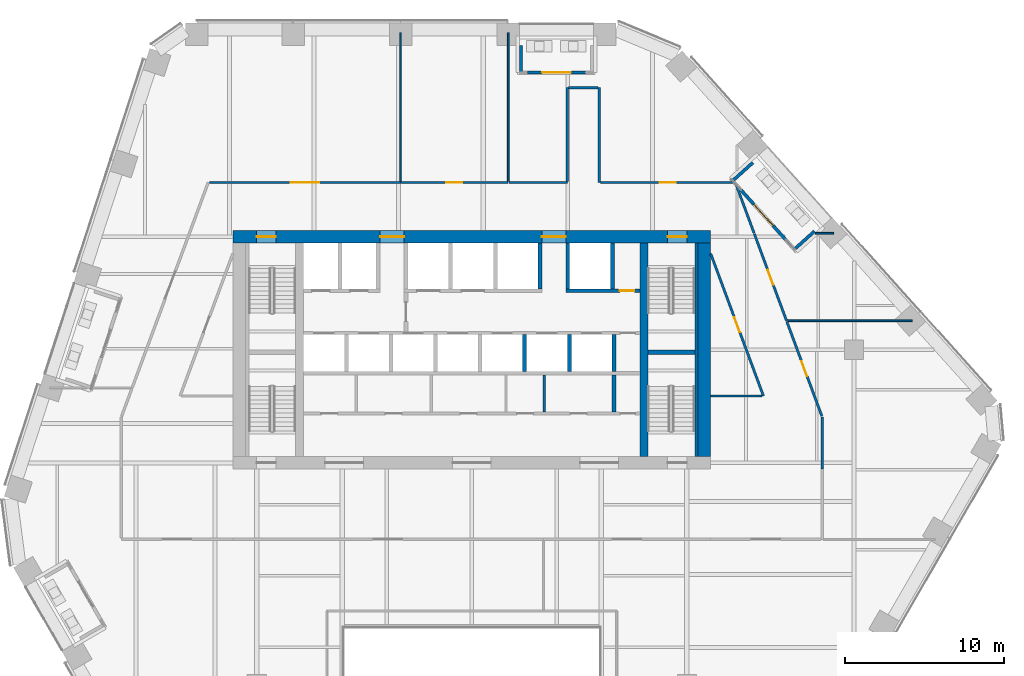
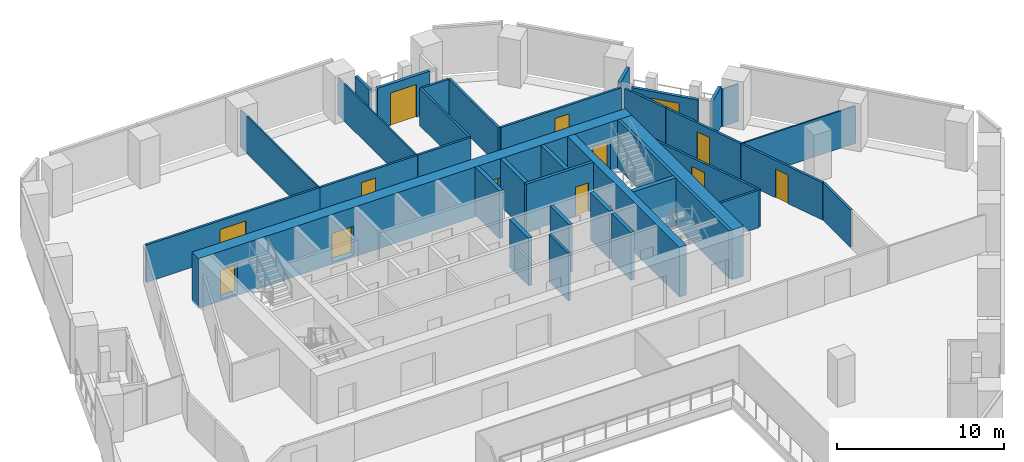
# One storey, part 19 of 24: 36 walls, 13 doors, 13 openings.
"""IFC4 building model written with IfcOpenShell, lengths in metres."""

from ifc_helpers import new_model, si_unit, direction, frame, frame_2d, origin, place, context, subcontext, project, spatial, rectangle, extrude, material, layer, layer_set, type_object, element, fill, save


model = new_model("IFC4")

# Units and contexts
model_context = context("Model", 3, precision=1e-05, world=origin(), true_north=direction((0.0, 1.0)))
body_context = subcontext(model_context, "Body", "Model", "MODEL_VIEW")
ifc_project = project(units=[si_unit("LENGTHUNIT", "METRE"), si_unit("AREAUNIT", "SQUARE_METRE"), si_unit("VOLUMEUNIT", "CUBIC_METRE"), si_unit("PLANEANGLEUNIT", "RADIAN"), si_unit("MASSUNIT", "GRAM", prefix="KILO")], contexts=[model_context])

# Site, building, storey
site_placement = place(None, origin())
site = spatial("IfcSite", under=ifc_project, at=site_placement, CompositionType="ELEMENT")
building_placement = place(site_placement, origin())
building = spatial("IfcBuilding", under=site, at=building_placement, Name="Isthmus Gate Tower", CompositionType="ELEMENT")
storey_placement = place(building_placement, frame((0.0, 0.0, 159.0)))
storey = spatial("IfcBuildingStorey", under=building, at=storey_placement, Name="L39", CompositionType="ELEMENT", Elevation=159.0)

# Wall
ifc_material_1 = material(Name="Gypsum board on steel studs, fire-rated", Category="steel")
ifc_layer_1 = layer(ifc_material_1, 0.14990234375)
ifc_layer_set_1 = layer_set([ifc_layer_1], Name="CORRIDOR WALL 150 60 MIN")
wall_type_1 = type_object("IfcWallType", Name="CORRIDOR WALL 150 60 MIN", PredefinedType="PARTITIONING", material=ifc_layer_set_1)
wall_1_placement = place(storey_placement, frame((8.0, 23.949951171875, 0.0), z_axis=(0.0, 0.0, 1.0), x_axis=(0.0, -1.0, 0.0)))
element("IfcWall", 1, at=wall_1_placement, inside=storey, type_object=wall_type_1, Name="L39 Corridor Wall 150 60 Min", PredefinedType="PARTITIONING", context=body_context, shape_type="SweptSolid", body=[
    extrude(rectangle(XDim=5.949951171875, YDim=0.14990234375, at=frame_2d((2.97509765625, 0.0))), origin(), (0.0, 0.0, 1.0), 2.7412109375),
])

# Wall, opening, door
wall_2_placement = place(storey_placement, frame((18.30810546875, 4.60009765625, 0.0), z_axis=(0.0, 0.0, 1.0), x_axis=(-0.347347751601, 0.937736391241, 0.0)))
wall_2 = element("IfcWall", 2, at=wall_2_placement, inside=storey, type_object=wall_type_1, Name="L39 Corridor Wall 150 60 Min", PredefinedType="PARTITIONING", context=body_context, shape_type="SweptSolid", body=[
    extrude(rectangle(XDim=9.52392578125, YDim=0.14990234375, at=frame_2d((4.761962890625, 0.0))), origin(), (0.0, 0.0, 1.0), 2.7412109375),
])
opening_1_placement = place(wall_2_placement, frame((4.261962890625, 0.0, 0.0)))
opening_1 = element("IfcOpeningElement", 3, at=opening_1_placement, cuts=wall_2, Name="Opening DT-T3D-07", PredefinedType="OPENING", context=body_context, shape_type="SweptSolid", body=[
    extrude(rectangle(XDim=1.0, YDim=2.10009765625, at=frame_2d((0.5, 1.050048828125))), frame((0.0, 0.0849609375, 0.0), z_axis=(0.0, -1.0, 0.0), x_axis=(1.0, 0.0, 0.0)), (0.0, 0.0, 1.0), 0.169921875),
])
ifc_material_2 = material(Name="Solid core timber door leaf, fire-rated", Category="wood")
door_type_1 = type_object("IfcDoorType", Name="FIRE DOOR ROOM 1000 X 2100 60 MIN", OperationType="SINGLE_SWING_LEFT", PredefinedType="DOOR", material=ifc_material_2)
door_1_placement = place(opening_1_placement, origin())
door_1 = element("IfcDoor", 4, at=door_1_placement, inside=storey, type_object=door_type_1, Name="L39 room door", OperationType="SINGLE_SWING_RIGHT", OverallHeight=2.10009765625, OverallWidth=1.0, PredefinedType="DOOR", context=body_context, shape_type="SweptSolid", body=[
    extrude(rectangle(XDim=1.0, YDim=2.10009765625, at=frame_2d((0.5, 1.050048828125))), frame((0.0, 0.02490234375, 0.0), z_axis=(0.0, -1.0, 0.0), x_axis=(1.0, 0.0, 0.0)), (0.0, 0.0, 1.0), 0.050048828125),
])
fill(opening_1, door_1)

# Wall
wall_3_placement = place(storey_placement, frame((22.0, 3.26904296875, 0.0), z_axis=(0.0, 0.0, 1.0), x_axis=(0.0, -1.0, 0.0)))
element("IfcWall", 5, at=wall_3_placement, inside=storey, type_object=wall_type_1, Name="L39 Corridor Wall 150 60 Min", PredefinedType="PARTITIONING", context=body_context, shape_type="SweptSolid", body=[
    extrude(rectangle(XDim=3.26904296875, YDim=0.14990234375, at=frame_2d((1.634521484375, 0.0))), origin(), (0.0, 0.0, 1.0), 2.7412109375),
])

# Wall, opening, door
wall_4_placement = place(storey_placement, frame((-4.4619140625, 18.0, 0.0), z_axis=(0.0, 0.0, 1.0), x_axis=(1.0, 0.0, 0.0)))
wall_4 = element("IfcWall", 6, at=wall_4_placement, inside=storey, type_object=wall_type_1, Name="L39 Corridor Wall 150 60 Min", PredefinedType="PARTITIONING", context=body_context, shape_type="SweptSolid", body=[
    extrude(rectangle(XDim=6.75, YDim=0.14990234375, at=frame_2d((3.375, 0.0))), origin(), (0.0, 0.0, 1.0), 2.7412109375),
])
opening_2_placement = place(wall_4_placement, frame((2.875, 0.0, 0.0)))
opening_2 = element("IfcOpeningElement", 7, at=opening_2_placement, cuts=wall_4, Name="Opening DT-T3D-01", PredefinedType="OPENING", context=body_context, shape_type="SweptSolid", body=[
    extrude(rectangle(XDim=1.0, YDim=2.10009765625, at=frame_2d((0.5, 1.050048828125))), frame((0.0, 0.0849609375, 0.0), z_axis=(0.0, -1.0, 0.0), x_axis=(1.0, 0.0, 0.0)), (0.0, 0.0, 1.0), 0.169921875),
])
door_2_placement = place(opening_2_placement, origin())
door_2 = element("IfcDoor", 8, at=door_2_placement, inside=storey, type_object=door_type_1, Name="L39 room door", OperationType="SINGLE_SWING_RIGHT", OverallHeight=2.10009765625, OverallWidth=1.0, PredefinedType="DOOR", context=body_context, shape_type="SweptSolid", body=[
    extrude(rectangle(XDim=1.0, YDim=2.10009765625, at=frame_2d((0.5, 1.050048828125))), frame((0.0, 0.02490234375, 0.0), z_axis=(0.0, -1.0, 0.0), x_axis=(1.0, 0.0, 0.0)), (0.0, 0.0, 1.0), 0.050048828125),
])
fill(opening_2, door_2)

# Walls
wall_5_placement = place(storey_placement, frame((2.337890625, 18.0, 0.0), z_axis=(0.0, 0.0, 1.0), x_axis=(1.0, 0.0, 0.0)))
element("IfcWall", 9, at=wall_5_placement, inside=storey, type_object=wall_type_1, Name="L39 Corridor Wall 150 60 Min", PredefinedType="PARTITIONING", context=body_context, shape_type="SweptSolid", body=[
    extrude(rectangle(XDim=3.662109375, YDim=0.14990234375, at=frame_2d((1.8310546875, 0.0))), origin(), (0.0, 0.0, 1.0), 2.7412109375),
])
wall_6_placement = place(storey_placement, frame((6.0, 18.074951171875, 0.0), z_axis=(0.0, 0.0, 1.0), x_axis=(0.0, 1.0, 0.0)))
element("IfcWall", 10, at=wall_6_placement, inside=storey, type_object=wall_type_1, Name="L39 Corridor Wall 150 60 Min", PredefinedType="PARTITIONING", context=body_context, shape_type="SweptSolid", body=[
    extrude(rectangle(XDim=5.875, YDim=0.14990234375, at=frame_2d((2.9375, 0.0))), origin(), (0.0, 0.0, 1.0), 2.7412109375),
])
wall_7_placement = place(storey_placement, frame((6.074951171875, 23.949951171875, 0.0), z_axis=(0.0, 0.0, 1.0), x_axis=(1.0, 0.0, 0.0)))
element("IfcWall", 11, at=wall_7_placement, inside=storey, type_object=wall_type_1, Name="L39 Corridor Wall 150 60 Min", PredefinedType="PARTITIONING", context=body_context, shape_type="SweptSolid", body=[
    extrude(rectangle(XDim=1.85009765625, YDim=0.14990234375, at=frame_2d((0.925048828125, 0.0))), origin(), (0.0, 0.0, 1.0), 2.7412109375),
])

# Wall, opening, door
wall_8_placement = place(storey_placement, frame((8.074951171875, 18.0, 0.0), z_axis=(0.0, 0.0, 1.0), x_axis=(1.0, 0.0, 0.0)))
wall_8 = element("IfcWall", 12, at=wall_8_placement, inside=storey, type_object=wall_type_1, Name="L39 Corridor Wall 150 60 Min", PredefinedType="PARTITIONING", context=body_context, shape_type="SweptSolid", body=[
    extrude(rectangle(XDim=8.34912109375, YDim=0.14990234375, at=frame_2d((4.174560546875, 0.0))), origin(), (0.0, 0.0, 1.0), 2.7412109375),
])
opening_3_placement = place(wall_8_placement, frame((3.734619140625, 0.0, 0.0)))
opening_3 = element("IfcOpeningElement", 13, at=opening_3_placement, cuts=wall_8, Name="Opening DT-T3D-02", PredefinedType="OPENING", context=body_context, shape_type="SweptSolid", body=[
    extrude(rectangle(XDim=1.0, YDim=2.10009765625, at=frame_2d((0.5, 1.050048828125))), frame((0.0, 0.0849609375, 0.0), z_axis=(0.0, -1.0, 0.0), x_axis=(1.0, 0.0, 0.0)), (0.0, 0.0, 1.0), 0.169921875),
])
door_3_placement = place(opening_3_placement, origin())
door_3 = element("IfcDoor", 14, at=door_3_placement, inside=storey, type_object=door_type_1, Name="L39 room door", OperationType="SINGLE_SWING_RIGHT", OverallHeight=2.10009765625, OverallWidth=1.0, PredefinedType="DOOR", context=body_context, shape_type="SweptSolid", body=[
    extrude(rectangle(XDim=1.0, YDim=2.10009765625, at=frame_2d((0.5, 1.050048828125))), frame((0.0, 0.02490234375, 0.0), z_axis=(0.0, -1.0, 0.0), x_axis=(1.0, 0.0, 0.0)), (0.0, 0.0, 1.0), 0.050048828125),
])
fill(opening_3, door_3)

# Wall
wall_9_placement = place(storey_placement, frame((16.6171875, 17.80224609375, 0.0), z_axis=(0.0, 0.0, 1.0), x_axis=(0.347221966082, -0.937782973971, 0.0)))
element("IfcWall", 15, at=wall_9_placement, inside=storey, type_object=wall_type_1, Name="L39 Corridor Wall 150 60 Min", PredefinedType="PARTITIONING", context=body_context, shape_type="SweptSolid", body=[
    extrude(rectangle(XDim=3.1845703125, YDim=0.14990234375, at=frame_2d((1.59228515625, 0.0))), origin(), (0.0, 0.0, 1.0), 2.7412109375),
])

# Wall, opening, door
wall_10_placement = place(storey_placement, frame((-16.468994140625, 18.0, 0.0), z_axis=(0.0, 0.0, 1.0), x_axis=(1.0, 0.0, 0.0)))
wall_10 = element("IfcWall", 16, at=wall_10_placement, inside=storey, type_object=wall_type_1, Name="L39 Corridor Wall 150 60 Min", PredefinedType="PARTITIONING", context=body_context, shape_type="SweptSolid", body=[
    extrude(rectangle(XDim=12.007080078125, YDim=0.14990234375, at=frame_2d((6.00341796875, 0.0))), origin(), (0.0, 0.0, 1.0), 2.7412109375),
])
opening_4_placement = place(wall_10_placement, frame((5.103515625, 0.0, 0.0)))
opening_4 = element("IfcOpeningElement", 17, at=opening_4_placement, cuts=wall_10, Name="Opening DT-T3D-04", PredefinedType="OPENING", context=body_context, shape_type="SweptSolid", body=[
    extrude(rectangle(XDim=1.800048828125, YDim=2.10009765625, at=frame_2d((0.89990234375, 1.050048828125))), frame((0.0, 0.0849609375, 0.0), z_axis=(0.0, -1.0, 0.0), x_axis=(1.0, 0.0, 0.0)), (0.0, 0.0, 1.0), 0.169921875),
])
ifc_material_3 = material(Name="Solid core timber door leaf, fire-rated", Category="wood")
door_type_2 = type_object("IfcDoorType", Name="FIRE DOOR ROOM 1800 X 2100 60 MIN", OperationType="DOUBLE_DOOR_DOUBLE_SWING", PredefinedType="DOOR", material=ifc_material_3)
door_4_placement = place(opening_4_placement, origin())
door_4 = element("IfcDoor", 18, at=door_4_placement, inside=storey, type_object=door_type_2, Name="L39 room door", OperationType="DOUBLE_DOOR_DOUBLE_SWING", OverallHeight=2.10009765625, OverallWidth=1.800048828125, PredefinedType="DOOR", context=body_context, shape_type="SweptSolid", body=[
    extrude(rectangle(XDim=1.800048828125, YDim=2.10009765625, at=frame_2d((0.89990234375, 1.050048828125))), frame((0.0, 0.02490234375, 0.0), z_axis=(0.0, -1.0, 0.0), x_axis=(1.0, 0.0, 0.0)), (0.0, 0.0, 1.0), 0.050048828125),
])
fill(opening_4, door_4)

wall_11_placement = place(storey_placement, frame((17.740478515625, 14.76904296875, 0.0), z_axis=(0.0, 0.0, 1.0), x_axis=(0.347393763434, -0.937719346674, 0.0)))
wall_11 = element("IfcWall", 19, at=wall_11_placement, inside=storey, type_object=wall_type_1, Name="L39 Corridor Wall 150 60 Min", PredefinedType="PARTITIONING", context=body_context, shape_type="SweptSolid", body=[
    extrude(rectangle(XDim=5.807861328125, YDim=0.14990234375, at=frame_2d((2.90380859375, 0.0))), origin(), (0.0, 0.0, 1.0), 2.7412109375),
])
opening_5_placement = place(wall_11_placement, frame((2.40380859375, 0.0, 0.0)))
opening_5 = element("IfcOpeningElement", 20, at=opening_5_placement, cuts=wall_11, Name="Opening DT-T3D-05", PredefinedType="OPENING", context=body_context, shape_type="SweptSolid", body=[
    extrude(rectangle(XDim=1.0, YDim=2.10009765625, at=frame_2d((0.5, 1.050048828125))), frame((0.0, 0.0849609375, 0.0), z_axis=(0.0, -1.0, 0.0), x_axis=(1.0, 0.0, 0.0)), (0.0, 0.0, 1.0), 0.169921875),
])
door_5_placement = place(opening_5_placement, origin())
door_5 = element("IfcDoor", 21, at=door_5_placement, inside=storey, type_object=door_type_1, Name="L39 room door", OperationType="SINGLE_SWING_RIGHT", OverallHeight=2.10009765625, OverallWidth=1.0, PredefinedType="DOOR", context=body_context, shape_type="SweptSolid", body=[
    extrude(rectangle(XDim=1.0, YDim=2.10009765625, at=frame_2d((0.5, 1.050048828125))), frame((0.0, 0.02490234375, 0.0), z_axis=(0.0, -1.0, 0.0), x_axis=(1.0, 0.0, 0.0)), (0.0, 0.0, 1.0), 0.050048828125),
])
fill(opening_5, door_5)

# Wall
wall_12_placement = place(storey_placement, frame((15.0, 4.60009765625, 0.0), z_axis=(0.0, 0.0, 1.0), x_axis=(1.0, 0.0, 0.0)))
element("IfcWall", 22, at=wall_12_placement, inside=storey, type_object=wall_type_1, Name="L39 Corridor Wall 150 60 Min", PredefinedType="PARTITIONING", context=body_context, shape_type="SweptSolid", body=[
    extrude(rectangle(XDim=3.22802734375, YDim=0.14990234375, at=frame_2d((1.614013671875, 0.0))), origin(), (0.0, 0.0, 1.0), 2.7412109375),
])

# Wall, opening, door
wall_13_placement = place(storey_placement, frame((19.775390625, 9.276123046875, 0.0), z_axis=(0.0, 0.0, 1.0), x_axis=(0.347304307854, -0.937752482133, 0.0)))
wall_13 = element("IfcWall", 23, at=wall_13_placement, inside=storey, type_object=wall_type_1, Name="L39 Corridor Wall 150 60 Min", PredefinedType="PARTITIONING", context=body_context, shape_type="SweptSolid", body=[
    extrude(rectangle(XDim=6.330810546875, YDim=0.14990234375, at=frame_2d((3.16552734375, 0.0))), origin(), (0.0, 0.0, 1.0), 2.7412109375),
])
opening_6_placement = place(wall_13_placement, frame((2.665283203125, 0.0, 0.0)))
opening_6 = element("IfcOpeningElement", 24, at=opening_6_placement, cuts=wall_13, Name="Opening DT-T3D-08", PredefinedType="OPENING", context=body_context, shape_type="SweptSolid", body=[
    extrude(rectangle(XDim=1.0, YDim=2.10009765625, at=frame_2d((0.5, 1.050048828125))), frame((0.0, 0.0849609375, 0.0), z_axis=(0.0, -1.0, 0.0), x_axis=(1.0, 0.0, 0.0)), (0.0, 0.0, 1.0), 0.169921875),
])
door_6_placement = place(opening_6_placement, origin())
door_6 = element("IfcDoor", 25, at=door_6_placement, inside=storey, type_object=door_type_1, Name="L39 room door", OperationType="SINGLE_SWING_RIGHT", OverallHeight=2.10009765625, OverallWidth=1.0, PredefinedType="DOOR", context=body_context, shape_type="SweptSolid", body=[
    extrude(rectangle(XDim=1.0, YDim=2.10009765625, at=frame_2d((0.5, 1.050048828125))), frame((0.0, 0.02490234375, 0.0), z_axis=(0.0, -1.0, 0.0), x_axis=(1.0, 0.0, 0.0)), (0.0, 0.0, 1.0), 0.050048828125),
])
fill(opening_6, door_6)

ifc_material_4 = material(Name="Precast concrete C40/50", Category="concrete")
ifc_layer_2 = layer(ifc_material_4, 0.199951171875)
ifc_layer_set_2 = layer_set([ifc_layer_2], Name="LOGGIA WALL 200")
wall_type_2 = type_object("IfcWallType", Name="LOGGIA WALL 200", PredefinedType="SOLIDWALL", material=ifc_layer_set_2)
wall_14_placement = place(storey_placement, frame((7.138671875, 24.89990234375, 0.0), z_axis=(0.0, 0.0, 1.0), x_axis=(-1.0, 0.0, 0.0)))
wall_14 = element("IfcWall", 26, at=wall_14_placement, inside=storey, type_object=wall_type_2, Name="LOGGIA BACK WALL", PredefinedType="SOLIDWALL", context=body_context, shape_type="SweptSolid", body=[
    extrude(rectangle(XDim=3.650146484375, YDim=0.199951171875, at=frame_2d((1.8251953125, 0.0))), origin(), (0.0, 0.0, 1.0), 3.050048828125),
])
opening_7_placement = place(wall_14_placement, frame((0.925048828125, 0.0, 0.0)))
opening_7 = element("IfcOpeningElement", 27, at=opening_7_placement, cuts=wall_14, Name="Opening DE39-01", PredefinedType="OPENING", context=body_context, shape_type="SweptSolid", body=[
    extrude(rectangle(XDim=1.800048828125, YDim=2.39990234375, at=frame_2d((0.89990234375, 1.199951171875))), frame((0.0, 0.10986328125, 0.0), z_axis=(0.0, -1.0, 0.0), x_axis=(1.0, 0.0, 0.0)), (0.0, 0.0, 1.0), 0.219970703125),
])
ifc_material_5 = material(Name="Aluminium, pale champagne anodised, laminated glass", Category="aluminium")
door_type_3 = type_object("IfcDoorType", Name="LOGGIA DOOR SLIDING 1800 X 2400", OperationType="DOUBLE_DOOR_SLIDING", PredefinedType="DOOR", material=ifc_material_5)
door_7_placement = place(opening_7_placement, origin())
door_7 = element("IfcDoor", 28, at=door_7_placement, inside=storey, type_object=door_type_3, Name="DOOR DE39-01", OperationType="SINGLE_SWING_LEFT", OverallHeight=2.39990234375, OverallWidth=1.800048828125, PredefinedType="DOOR", context=body_context, shape_type="SweptSolid", body=[
    extrude(rectangle(XDim=1.800048828125, YDim=2.39990234375, at=frame_2d((0.89990234375, 1.199951171875))), frame((0.0, 0.02490234375, 0.0), z_axis=(0.0, -1.0, 0.0), x_axis=(1.0, 0.0, 0.0)), (0.0, 0.0, 1.0), 0.050048828125),
])
fill(opening_7, door_7)

# Wall
wall_15_placement = place(storey_placement, frame((3.08837890625, 26.60009765625, 0.0), z_axis=(0.0, 0.0, 1.0), x_axis=(0.0, -1.0, 0.0)))
element("IfcWall", 29, at=wall_15_placement, inside=storey, type_object=wall_type_2, Name="LOGGIA SIDE WALL", PredefinedType="SOLIDWALL", context=body_context, shape_type="SweptSolid", body=[
    extrude(rectangle(XDim=1.68408203125, YDim=0.199951171875, at=frame_2d((0.842041015625, 0.0))), origin(), (0.0, 0.0, 1.0), 3.050048828125),
])

# Wall, opening, door
wall_16_placement = place(storey_placement, frame((19.721435546875, 14.395263671875, 0.0), z_axis=(0.0, 0.0, 1.0), x_axis=(-0.669170241733, 0.743109135712, 0.0)))
wall_16 = element("IfcWall", 30, at=wall_16_placement, inside=storey, type_object=wall_type_2, Name="LOGGIA BACK WALL", PredefinedType="SOLIDWALL", context=body_context, shape_type="SweptSolid", body=[
    extrude(rectangle(XDim=4.199951171875, YDim=0.199951171875, at=frame_2d((2.10009765625, 0.0))), origin(), (0.0, 0.0, 1.0), 2.896728515625),
])
opening_8_placement = place(wall_16_placement, frame((1.199951171875, 0.0, 0.0)))
opening_8 = element("IfcOpeningElement", 31, at=opening_8_placement, cuts=wall_16, Name="Opening DE39-05", PredefinedType="OPENING", context=body_context, shape_type="SweptSolid", body=[
    extrude(rectangle(XDim=1.800048828125, YDim=2.39990234375, at=frame_2d((0.89990234375, 1.199951171875))), frame((0.0, 0.10986328125, 0.0), z_axis=(0.0, -1.0, 0.0), x_axis=(1.0, 0.0, 0.0)), (0.0, 0.0, 1.0), 0.219970703125),
])
door_8_placement = place(opening_8_placement, origin())
door_8 = element("IfcDoor", 32, at=door_8_placement, inside=storey, type_object=door_type_3, Name="DOOR DE39-05", OperationType="SINGLE_SWING_LEFT", OverallHeight=2.39990234375, OverallWidth=1.800048828125, PredefinedType="DOOR", context=body_context, shape_type="SweptSolid", body=[
    extrude(rectangle(XDim=1.800048828125, YDim=2.39990234375, at=frame_2d((0.89990234375, 1.199951171875))), frame((0.0, 0.02490234375, 0.0), z_axis=(0.0, -1.0, 0.0), x_axis=(1.0, 0.0, 0.0)), (0.0, 0.0, 1.0), 0.050048828125),
])
fill(opening_8, door_8)

# Walls
wall_17_placement = place(storey_placement, frame((21.516845703125, 14.941650390625, 0.0), z_axis=(0.0, 0.0, 1.0), x_axis=(-0.743178790238, -0.669092882745, 0.0)))
element("IfcWall", 33, at=wall_17_placement, inside=storey, type_object=wall_type_2, Name="LOGGIA SIDE WALL", PredefinedType="SOLIDWALL", context=body_context, shape_type="SweptSolid", body=[
    extrude(rectangle(XDim=1.683837890625, YDim=0.199951171875, at=frame_2d((0.841796875, 0.0))), origin(), (0.0, 0.0, 1.0), 2.896728515625),
])
wall_18_placement = place(storey_placement, frame((17.64208984375, 19.2451171875, 0.0), z_axis=(0.0, 0.0, 1.0), x_axis=(-0.743106699699, -0.6691729469, 0.0)))
element("IfcWall", 34, at=wall_18_placement, inside=storey, type_object=wall_type_2, Name="LOGGIA SIDE WALL", PredefinedType="SOLIDWALL", context=body_context, shape_type="SweptSolid", body=[
    extrude(rectangle(XDim=1.68408203125, YDim=0.199951171875, at=frame_2d((0.842041015625, 0.0))), origin(), (0.0, 0.0, 1.0), 3.050048828125),
])
ifc_material_6 = material(Name="Concrete f'c 60 MPa", Category="concrete")
ifc_layer_3 = layer(ifc_material_6, 0.5)
ifc_layer_set_3 = layer_set([ifc_layer_3], Name="RC CORE SPINE WALL 500 F'C 60")
wall_type_3 = type_object("IfcWallType", Name="RC CORE SPINE WALL 500 F'C 60", PredefinedType="SOLIDWALL", material=ifc_layer_set_3)
wall_19_placement = place(storey_placement, frame((10.800048828125, 0.800048828125, -0.14990234375), z_axis=(0.0, 0.0, 1.0), x_axis=(0.0, 1.0, 0.0)))
element("IfcWall", 35, at=wall_19_placement, inside=storey, type_object=wall_type_3, Name="str-corewall-L39-SPE", PredefinedType="SOLIDWALL", context=body_context, shape_type="SweptSolid", body=[
    extrude(rectangle(XDim=13.39990234375, YDim=0.5, at=frame_2d((6.699951171875, 0.0))), origin(), (0.0, 0.0, 1.0), 3.64990234375),
])

# Wall, openings, doors
ifc_material_7 = material(Name="Concrete f'c 60 MPa", Category="concrete")
ifc_layer_4 = layer(ifc_material_7, 0.800048828125)
ifc_layer_set_4 = layer_set([ifc_layer_4], Name="RC CORE WALL 800 F'C 60")
wall_type_4 = type_object("IfcWallType", Name="RC CORE WALL 800 F'C 60", PredefinedType="SOLIDWALL", material=ifc_layer_set_4)
wall_20_placement = place(storey_placement, frame((-15.0, 14.60009765625, -0.14990234375), z_axis=(0.0, 0.0, 1.0), x_axis=(1.0, 0.0, 0.0)))
wall_20 = element("IfcWall", 36, at=wall_20_placement, inside=storey, type_object=wall_type_4, Name="str-corewall-L39-N", PredefinedType="SOLIDWALL", context=body_context, shape_type="SweptSolid", body=[
    extrude(rectangle(XDim=30.0, YDim=0.800048828125, at=frame_2d((15.0, 0.0))), origin(), (0.0, 0.0, 1.0), 3.64990234375),
])
opening_9_placement = place(wall_20_placement, frame((9.25, 0.0, 0.14990234375)))
opening_9 = element("IfcOpeningElement", 37, at=opening_9_placement, cuts=wall_20, Name="Opening DC-A10-13", PredefinedType="OPENING", context=body_context, shape_type="SweptSolid", body=[
    extrude(rectangle(XDim=1.5, YDim=2.10009765625, at=frame_2d((0.75, 1.050048828125))), frame((0.0, 0.409912109375, 0.0), z_axis=(0.0, -1.0, 0.0), x_axis=(1.0, 0.0, 0.0)), (0.0, 0.0, 1.0), 0.820068359375),
])
opening_10_placement = place(wall_20_placement, frame((19.39990234375, 0.0, 0.14990234375)))
opening_10 = element("IfcOpeningElement", 38, at=opening_10_placement, cuts=wall_20, Name="Opening DC-A10-14", PredefinedType="OPENING", context=body_context, shape_type="SweptSolid", body=[
    extrude(rectangle(XDim=1.5, YDim=2.10009765625, at=frame_2d((0.75, 1.050048828125))), frame((0.0, 0.409912109375, 0.0), z_axis=(0.0, -1.0, 0.0), x_axis=(1.0, 0.0, 0.0)), (0.0, 0.0, 1.0), 0.820068359375),
])
opening_11_placement = place(wall_20_placement, frame((1.5, 0.0, 0.14990234375)))
opening_11 = element("IfcOpeningElement", 39, at=opening_11_placement, cuts=wall_20, Name="Opening DC-A10-15", PredefinedType="OPENING", context=body_context, shape_type="SweptSolid", body=[
    extrude(rectangle(XDim=1.199951171875, YDim=2.10009765625, at=frame_2d((0.60009765625, 1.050048828125))), frame((0.0, 0.409912109375, 0.0), z_axis=(0.0, -1.0, 0.0), x_axis=(1.0, 0.0, 0.0)), (0.0, 0.0, 1.0), 0.820068359375),
])
opening_12_placement = place(wall_20_placement, frame((27.300048828125, 0.0, 0.14990234375)))
opening_12 = element("IfcOpeningElement", 40, at=opening_12_placement, cuts=wall_20, Name="Opening DC-A10-16", PredefinedType="OPENING", context=body_context, shape_type="SweptSolid", body=[
    extrude(rectangle(XDim=1.199951171875, YDim=2.10009765625, at=frame_2d((0.60009765625, 1.050048828125))), frame((0.0, 0.409912109375, 0.0), z_axis=(0.0, -1.0, 0.0), x_axis=(1.0, 0.0, 0.0)), (0.0, 0.0, 1.0), 0.820068359375),
])
ifc_material_8 = material(Name="Steel door leaf, fire-rated", Category="steel")
door_type_4 = type_object("IfcDoorType", Name="LOBBY FIRE DOOR 1500 X 2100 60 MIN", OperationType="DOUBLE_DOOR_SINGLE_SWING", PredefinedType="DOOR", material=ifc_material_8)
door_9_placement = place(opening_10_placement, origin())
door_9 = element("IfcDoor", 41, at=door_9_placement, inside=storey, type_object=door_type_4, Name="Lobby Door PN-E", OperationType="DOUBLE_DOOR_SINGLE_SWING", OverallHeight=2.10009765625, OverallWidth=1.5, PredefinedType="DOOR", context=body_context, shape_type="SweptSolid", body=[
    extrude(rectangle(XDim=1.5, YDim=2.10009765625, at=frame_2d((0.75, 1.050048828125))), frame((0.0, 0.02490234375, 0.0), z_axis=(0.0, -1.0, 0.0), x_axis=(1.0, 0.0, 0.0)), (0.0, 0.0, 1.0), 0.050048828125),
])
fill(opening_10, door_9)
ifc_material_9 = material(Name="Steel door leaf, fire-rated", Category="steel")
door_type_5 = type_object("IfcDoorType", Name="LOBBY FIRE DOOR 1500 X 2100 90 MIN", OperationType="DOUBLE_DOOR_SINGLE_SWING", PredefinedType="DOOR", material=ifc_material_9)
door_10_placement = place(opening_9_placement, origin())
door_10 = element("IfcDoor", 42, at=door_10_placement, inside=storey, type_object=door_type_5, Name="Lobby Door PN-W", OperationType="DOUBLE_DOOR_SINGLE_SWING", OverallHeight=2.10009765625, OverallWidth=1.5, PredefinedType="DOOR", context=body_context, shape_type="SweptSolid", body=[
    extrude(rectangle(XDim=1.5, YDim=2.10009765625, at=frame_2d((0.75, 1.050048828125))), frame((0.0, 0.02490234375, 0.0), z_axis=(0.0, -1.0, 0.0), x_axis=(1.0, 0.0, 0.0)), (0.0, 0.0, 1.0), 0.050048828125),
])
fill(opening_9, door_10)
ifc_material_10 = material(Name="Steel door leaf, fire-rated", Category="steel")
door_type_6 = type_object("IfcDoorType", Name="STAIR FIRE DOOR 1200 X 2100 90 MIN", OperationType="SINGLE_SWING_LEFT", PredefinedType="DOOR", material=ifc_material_10)
door_11_placement = place(opening_11_placement, origin())
door_11 = element("IfcDoor", 43, at=door_11_placement, inside=storey, type_object=door_type_6, Name="Exit Stair 1 Door", OperationType="SINGLE_SWING_RIGHT", OverallHeight=2.10009765625, OverallWidth=1.199951171875, PredefinedType="DOOR", context=body_context, shape_type="SweptSolid", body=[
    extrude(rectangle(XDim=1.199951171875, YDim=2.10009765625, at=frame_2d((0.60009765625, 1.050048828125))), frame((0.0, 0.02490234375, 0.0), z_axis=(0.0, -1.0, 0.0), x_axis=(1.0, 0.0, 0.0)), (0.0, 0.0, 1.0), 0.050048828125),
])
fill(opening_11, door_11)
door_12_placement = place(opening_12_placement, origin())
door_12 = element("IfcDoor", 44, at=door_12_placement, inside=storey, type_object=door_type_6, Name="Exit Stair 2 Door", OperationType="SINGLE_SWING_LEFT", OverallHeight=2.10009765625, OverallWidth=1.199951171875, PredefinedType="DOOR", context=body_context, shape_type="SweptSolid", body=[
    extrude(rectangle(XDim=1.199951171875, YDim=2.10009765625, at=frame_2d((0.60009765625, 1.050048828125))), frame((0.0, 0.02490234375, 0.0), z_axis=(0.0, -1.0, 0.0), x_axis=(1.0, 0.0, 0.0)), (0.0, 0.0, 1.0), 0.050048828125),
])
fill(opening_12, door_12)

# Walls
wall_21_placement = place(storey_placement, frame((14.60009765625, 0.800048828125, -0.14990234375), z_axis=(0.0, 0.0, 1.0), x_axis=(0.0, 1.0, 0.0)))
element("IfcWall", 45, at=wall_21_placement, inside=storey, type_object=wall_type_4, Name="str-corewall-L39-E", PredefinedType="SOLIDWALL", context=body_context, shape_type="SweptSolid", body=[
    extrude(rectangle(XDim=13.39990234375, YDim=0.800048828125, at=frame_2d((6.699951171875, 0.0))), origin(), (0.0, 0.0, 1.0), 3.64990234375),
])
ifc_material_11 = material(Name="Gypsum board on steel studs, fire-rated", Category="steel")
ifc_layer_5 = layer(ifc_material_11, 0.10009765625)
ifc_layer_set_5 = layer_set([ifc_layer_5], Name="ROOM PARTITION 100 30 MIN")
wall_type_5 = type_object("IfcWallType", Name="ROOM PARTITION 100 30 MIN", PredefinedType="PARTITIONING", material=ifc_layer_set_5)
wall_22_placement = place(storey_placement, frame((2.2880859375, 18.074951171875, 0.0), z_axis=(0.0, 0.0, 1.0), x_axis=(0.0, 1.0, 0.0)))
element("IfcWall", 46, at=wall_22_placement, inside=storey, type_object=wall_type_5, Name="L39 Room Partition 100 30 Min", PredefinedType="PARTITIONING", context=body_context, shape_type="SweptSolid", body=[
    extrude(rectangle(XDim=9.324951171875, YDim=0.10009765625, at=frame_2d((4.66259765625, 0.0))), origin(), (0.0, 0.0, 1.0), 2.7412109375),
])
wall_23_placement = place(storey_placement, frame((21.556884765625, 14.81591796875, 0.0), z_axis=(0.0, 0.0, 1.0), x_axis=(1.0, 0.0, 0.0)))
element("IfcWall", 47, at=wall_23_placement, inside=storey, type_object=wall_type_5, Name="L39 Room Partition 100 30 Min", PredefinedType="PARTITIONING", context=body_context, shape_type="SweptSolid", body=[
    extrude(rectangle(XDim=1.150146484375, YDim=0.10009765625, at=frame_2d((0.5751953125, 0.0))), origin(), (0.0, 0.0, 1.0), 2.7412109375),
])
wall_24_placement = place(storey_placement, frame((-4.4619140625, 18.074951171875, 0.0), z_axis=(0.0, 0.0, 1.0), x_axis=(0.0, 1.0, 0.0)))
element("IfcWall", 48, at=wall_24_placement, inside=storey, type_object=wall_type_5, Name="L39 Room Partition 100 30 Min", PredefinedType="PARTITIONING", context=body_context, shape_type="SweptSolid", body=[
    extrude(rectangle(XDim=9.324951171875, YDim=0.10009765625, at=frame_2d((4.66259765625, 0.0))), origin(), (0.0, 0.0, 1.0), 2.7412109375),
])
wall_25_placement = place(storey_placement, frame((19.8330078125, 9.322998046875, 0.0), z_axis=(0.0, 0.0, 1.0), x_axis=(1.0, 0.0, 0.0)))
element("IfcWall", 49, at=wall_25_placement, inside=storey, type_object=wall_type_5, Name="L39 Room Partition 100 30 Min", PredefinedType="PARTITIONING", context=body_context, shape_type="SweptSolid", body=[
    extrude(rectangle(XDim=7.819091796875, YDim=0.10009765625, at=frame_2d((3.90966796875, 0.0))), origin(), (0.0, 0.0, 1.0), 2.7412109375),
])
ifc_material_12 = material(Name="Gypsum board on steel studs, fire-rated", Category="steel")
ifc_layer_6 = layer(ifc_material_12, 0.14990234375)
ifc_layer_set_6 = layer_set([ifc_layer_6], Name="ROOM PARTITION 150 60 MIN")
wall_type_6 = type_object("IfcWallType", Name="ROOM PARTITION 150 60 MIN", PredefinedType="PARTITIONING", material=ifc_layer_set_6)
wall_26_placement = place(storey_placement, frame((4.550048828125, 3.60009765625, 0.0), z_axis=(0.0, 0.0, 1.0), x_axis=(0.0, 1.0, 0.0)))
element("IfcWall", 50, at=wall_26_placement, inside=storey, type_object=wall_type_6, Name="L39 ROOM PARTITION 150 60 MIN", PredefinedType="PARTITIONING", context=body_context, shape_type="SweptSolid", body=[
    extrude(rectangle(XDim=2.2998046875, YDim=0.14990234375, at=frame_2d((1.14990234375, 0.0))), origin(), (0.0, 0.0, 1.0), 3.5),
])

# Wall, opening, door
ifc_material_13 = material(Name="Fire-rated blockwork masonry, 15 MPa", Category="masonry")
ifc_layer_7 = layer(ifc_material_13, 0.199951171875)
ifc_layer_set_7 = layer_set([ifc_layer_7], Name="SHAFT FRONT WALL 200 120 MIN")
wall_type_7 = type_object("IfcWallType", Name="SHAFT FRONT WALL 200 120 MIN", PredefinedType="PARTITIONING", material=ifc_layer_set_7)
wall_27_placement = place(storey_placement, frame((5.89990234375, 11.199951171875, 0.0), z_axis=(0.0, 0.0, 1.0), x_axis=(1.0, 0.0, 0.0)))
wall_27 = element("IfcWall", 51, at=wall_27_placement, inside=storey, type_object=wall_type_7, Name="L39 SHAFT FRONT WALL 200 120 MIN", PredefinedType="PARTITIONING", context=body_context, shape_type="SweptSolid", body=[
    extrude(rectangle(XDim=4.650146484375, YDim=0.199951171875, at=frame_2d((2.3251953125, 0.0))), origin(), (0.0, 0.0, 1.0), 3.5),
])
opening_13_placement = place(wall_27_placement, frame((3.39990234375, 0.0, 0.0)))
opening_13 = element("IfcOpeningElement", 52, at=opening_13_placement, cuts=wall_27, Name="Opening DC-A10-09", PredefinedType="OPENING", context=body_context, shape_type="SweptSolid", body=[
    extrude(rectangle(XDim=0.89990234375, YDim=2.10009765625, at=frame_2d((0.449951171875, 1.050048828125))), frame((0.0, 0.10986328125, 0.0), z_axis=(0.0, -1.0, 0.0), x_axis=(1.0, 0.0, 0.0)), (0.0, 0.0, 1.0), 0.219970703125),
])
ifc_material_14 = material(Name="Steel door leaf, fire-rated", Category="steel")
door_type_7 = type_object("IfcDoorType", Name="RISER FIRE DOOR 900 X 2100 90 MIN", OperationType="SINGLE_SWING_LEFT", PredefinedType="DOOR", material=ifc_material_14)
door_13_placement = place(opening_13_placement, origin())
door_13 = element("IfcDoor", 53, at=door_13_placement, inside=storey, type_object=door_type_7, Name="Riser Door", OperationType="SINGLE_SWING_LEFT", OverallHeight=2.10009765625, OverallWidth=0.89990234375, PredefinedType="DOOR", context=body_context, shape_type="SweptSolid", body=[
    extrude(rectangle(XDim=0.89990234375, YDim=2.10009765625, at=frame_2d((0.449951171875, 1.050048828125))), frame((0.0, 0.02490234375, 0.0), z_axis=(0.0, -1.0, 0.0), x_axis=(1.0, 0.0, 0.0)), (0.0, 0.0, 1.0), 0.050048828125),
])
fill(opening_13, door_13)

# Walls
ifc_material_15 = material(Name="Fire-rated blockwork masonry, 15 MPa", Category="masonry")
ifc_layer_8 = layer(ifc_material_15, 0.25)
ifc_layer_set_8 = layer_set([ifc_layer_8], Name="SHAFT WALL 250 120 MIN")
wall_type_8 = type_object("IfcWallType", Name="SHAFT WALL 250 120 MIN", PredefinedType="PARTITIONING", material=ifc_layer_set_8)
wall_28_placement = place(storey_placement, frame((8.925048828125, 3.60009765625, 0.0), z_axis=(0.0, 0.0, 1.0), x_axis=(0.0, 1.0, 0.0)))
element("IfcWall", 54, at=wall_28_placement, inside=storey, type_object=wall_type_8, Name="L39 SHAFT WALL 250 120 MIN", PredefinedType="PARTITIONING", context=body_context, shape_type="SweptSolid", body=[
    extrude(rectangle(XDim=2.2998046875, YDim=0.25, at=frame_2d((1.14990234375, 0.0))), origin(), (0.0, 0.0, 1.0), 3.5),
])
for number, where, z_axis, x_axis, name in (
    (55, (3.324951171875, 6.14990234375, 0.0), (0.0, 0.0, 1.0), (0.0, 1.0, 0.0), "L39 SHAFT WALL 250 120 MIN"),
    (56, (6.125, 6.14990234375, 0.0), (0.0, 0.0, 1.0), (0.0, 1.0, 0.0), "L39 SHAFT WALL 250 120 MIN"),
    (57, (8.925048828125, 6.14990234375, 0.0), (0.0, 0.0, 1.0), (0.0, 1.0, 0.0), "L39 SHAFT WALL 250 120 MIN"),
):
    element("IfcWall", number, at=place(storey_placement, frame(where, z_axis=z_axis, x_axis=x_axis)), inside=storey, type_object=wall_type_8, Name=name, PredefinedType="PARTITIONING", context=body_context, shape_type="SweptSolid", body=[
        extrude(rectangle(XDim=2.300048828125, YDim=0.25, at=frame_2d((1.14990234375, 0.0))), origin(), (0.0, 0.0, 1.0), 3.5),
    ])
for number, where, z_axis, x_axis, name in (
    (58, (4.27490234375, 11.300048828125, 0.0), (0.0, 0.0, 1.0), (0.0, 1.0, 0.0), "L39 SHAFT WALL 250 120 MIN"),
    (59, (6.02490234375, 11.300048828125, 0.0), (0.0, 0.0, 1.0), (0.0, 1.0, 0.0), "L39 SHAFT WALL 250 120 MIN"),
    (60, (8.824951171875, 11.300048828125, 0.0), (0.0, 0.0, 1.0), (0.0, 1.0, 0.0), "L39 SHAFT WALL 250 120 MIN"),
):
    element("IfcWall", number, at=place(storey_placement, frame(where, z_axis=z_axis, x_axis=x_axis)), inside=storey, type_object=wall_type_8, Name=name, PredefinedType="PARTITIONING", context=body_context, shape_type="SweptSolid", body=[
        extrude(rectangle(XDim=2.89990234375, YDim=0.25, at=frame_2d((1.449951171875, 0.0))), origin(), (0.0, 0.0, 1.0), 3.5),
    ])
ifc_material_16 = material(Name="Concrete f'c 40 MPa", Category="concrete")
ifc_layer_9 = layer(ifc_material_16, 0.199951171875)
ifc_layer_set_9 = layer_set([ifc_layer_9], Name="STAIR ENCLOSURE WALL 200 180 MIN")
wall_type_9 = type_object("IfcWallType", Name="STAIR ENCLOSURE WALL 200 180 MIN", PredefinedType="SOLIDWALL", material=ifc_layer_set_9)
wall_29_placement = place(storey_placement, frame((14.10009765625, 0.800048828125, 0.0), z_axis=(0.0, 0.0, 1.0), x_axis=(0.0, 1.0, 0.0)))
element("IfcWall", 61, at=wall_29_placement, inside=storey, type_object=wall_type_9, Name="L39 STAIR ENCLOSURE WALL 200 180 MIN", PredefinedType="SOLIDWALL", context=body_context, shape_type="SweptSolid", body=[
    extrude(rectangle(XDim=13.39990234375, YDim=0.199951171875, at=frame_2d((6.699951171875, 0.0))), origin(), (0.0, 0.0, 1.0), 3.5),
])
ifc_material_17 = material(Name="Concrete f'c 40 MPa", Category="concrete")
ifc_layer_10 = layer(ifc_material_17, 0.300048828125)
ifc_layer_set_10 = layer_set([ifc_layer_10], Name="STAIR ENCLOSURE WALL 300 180 MIN")
wall_type_10 = type_object("IfcWallType", Name="STAIR ENCLOSURE WALL 300 180 MIN", PredefinedType="SOLIDWALL", material=ifc_layer_set_10)
wall_30_placement = place(storey_placement, frame((11.050048828125, 7.35009765625, 0.0), z_axis=(0.0, 0.0, 1.0), x_axis=(1.0, 0.0, 0.0)))
element("IfcWall", 62, at=wall_30_placement, inside=storey, type_object=wall_type_10, Name="L39 STAIR ENCLOSURE WALL 300 180 MIN", PredefinedType="SOLIDWALL", context=body_context, shape_type="SweptSolid", body=[
    extrude(rectangle(XDim=2.949951171875, YDim=0.300048828125, at=frame_2d((1.47509765625, 0.0))), origin(), (0.0, 0.0, 1.0), 3.5),
])

save(model, "model.ifc")
